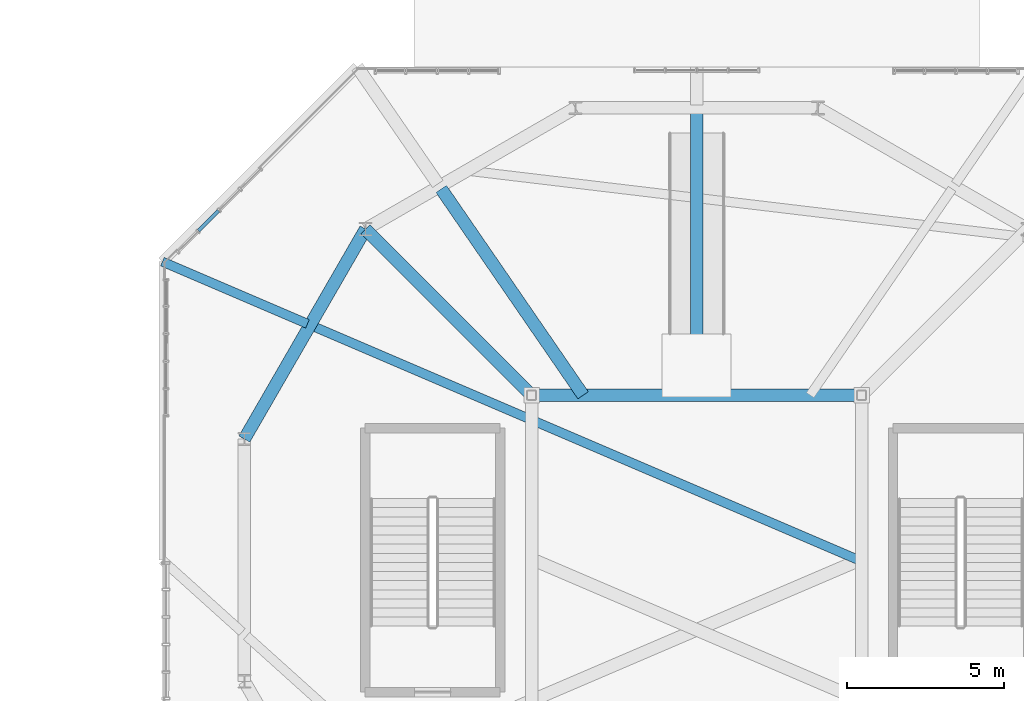
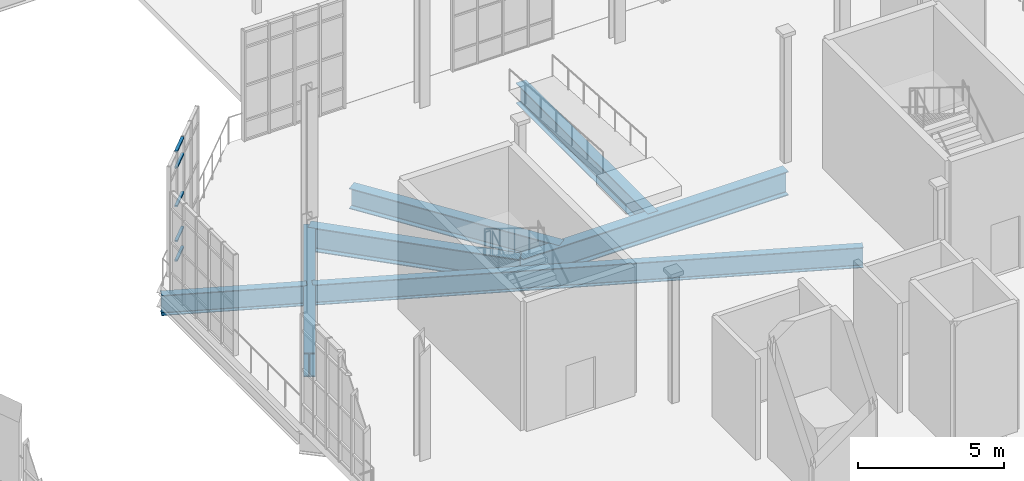
# One storey, part 59 of 189: 7 beams, 5 members, 1 element without a shape of its own.
"""IFC4 building model written with IfcOpenShell, lengths in metres."""

from ifc_helpers import new_model, si_unit, direction, frame, origin, origin_2d, place, context, subcontext, project, spatial, hollow_rectangle, i_section, extrude, material, layer, layer_set, material_profile, profile_set, type_object, element, aggregate, save


model = new_model("IFC4")

# Units and contexts
model_context = context("Model", 3, precision=1e-05, world=origin(), true_north=direction((0.0, 1.0)))
body_context = subcontext(model_context, "Body", "Model", "MODEL_VIEW")
ifc_project = project(units=[si_unit("LENGTHUNIT", "METRE"), si_unit("AREAUNIT", "SQUARE_METRE"), si_unit("VOLUMEUNIT", "CUBIC_METRE"), si_unit("PLANEANGLEUNIT", "RADIAN"), si_unit("MASSUNIT", "GRAM", prefix="KILO"), si_unit("THERMODYNAMICTEMPERATUREUNIT", "KELVIN"), si_unit("POWERUNIT", "WATT")], contexts=[model_context])

# Site, building, storey
site_placement = place(None, origin())
site = spatial("IfcSite", under=ifc_project, at=site_placement, CompositionType="ELEMENT")
building_placement = place(site_placement, origin())
building = spatial("IfcBuilding", under=site, at=building_placement, Name="Zelmaris Science Centre", CompositionType="ELEMENT")
storey_placement = place(building_placement, origin())
storey = spatial("IfcBuildingStorey", under=building, at=storey_placement, Name="L00", CompositionType="ELEMENT", Elevation=0.0)

# Curtain wall, members
ifc_material_1 = material(Name="Anodised architectural aluminium 6063-T6", Category="aluminium")
ifc_layer = layer(ifc_material_1, 0.219970703125, Name="Anodised architectural aluminium 6063-T6")
ifc_layer_set = layer_set([ifc_layer], Name="Anodised architectural aluminium 6063-T6")
curtain_wall_type = type_object("IfcCurtainWallType", Name="Curtain Wall CW-04", PredefinedType="USERDEFINED", material=ifc_layer_set)
curtain_wall_placement = place(storey_placement, origin())
curtain_wall = element("IfcCurtainWall", 1, at=curtain_wall_placement, inside=storey, type_object=curtain_wall_type, Name="L00 Unitised curtain wall 52", ObjectType="GLAZED CURTAIN WALL", PredefinedType="USERDEFINED")
ifc_material_profile_1 = material_profile(ifc_material_1, hollow_rectangle(XDim=0.06005859375, YDim=0.110107421875, WallThickness=0.0029296875, at=origin_2d()), Name="ALU-TRN-60X110")
ifc_profile_set_1 = profile_set([ifc_material_profile_1], Name="Anodised architectural aluminium 6063-T6")
member_type = type_object("IfcMemberType", Name="ALU-TRN-60X110", PredefinedType="USERDEFINED", material=ifc_profile_set_1)
member_1_placement = place(storey_placement, frame((65.154296875, 46.484130859375, 0.010986328125), z_axis=(0.707106781187, 0.707106781187, 0.0), x_axis=(0.0, 0.0, 1.0)))
member_1 = element("IfcMember", 2, at=member_1_placement, type_object=member_type, Name="CW-04 transom 2.1", ObjectType="TRANSOM", PredefinedType="USERDEFINED", context=body_context, shape_type="SweptSolid", body=[
    extrude(hollow_rectangle(XDim=0.06005859375, YDim=0.110107421875, WallThickness=0.0029296875, at=origin_2d()), origin(), (0.0, 0.0, 1.0), 0.894287109375),
])
member_2_placement = place(storey_placement, frame((65.154296875, 46.484130859375, 0.8349609375), z_axis=(0.707106781187, 0.707106781187, 0.0), x_axis=(0.0, 0.0, 1.0)))
member_2 = element("IfcMember", 3, at=member_2_placement, type_object=member_type, Name="CW-04 transom 2.2", ObjectType="TRANSOM", PredefinedType="USERDEFINED", context=body_context, shape_type="SweptSolid", body=[
    extrude(hollow_rectangle(XDim=0.06005859375, YDim=0.110107421875, WallThickness=0.0029296875, at=origin_2d()), origin(), (0.0, 0.0, 1.0), 0.894287109375),
])
member_3_placement = place(storey_placement, frame((65.154296875, 46.484130859375, 2.29248046875), z_axis=(0.707106781187, 0.707106781187, 0.0), x_axis=(0.0, 0.0, 1.0)))
member_3 = element("IfcMember", 4, at=member_3_placement, type_object=member_type, Name="CW-04 transom 2.3", ObjectType="TRANSOM", PredefinedType="USERDEFINED", context=body_context, shape_type="SweptSolid", body=[
    extrude(hollow_rectangle(XDim=0.06005859375, YDim=0.110107421875, WallThickness=0.0029296875, at=origin_2d()), origin(), (0.0, 0.0, 1.0), 0.894287109375),
])
member_4_placement = place(storey_placement, frame((65.154296875, 46.484130859375, 3.89990234375), z_axis=(0.707106781187, 0.707106781187, 0.0), x_axis=(0.0, 0.0, 1.0)))
member_4 = element("IfcMember", 5, at=member_4_placement, type_object=member_type, Name="CW-04 transom 2.4", ObjectType="TRANSOM", PredefinedType="USERDEFINED", context=body_context, shape_type="SweptSolid", body=[
    extrude(hollow_rectangle(XDim=0.06005859375, YDim=0.110107421875, WallThickness=0.0029296875, at=origin_2d()), origin(), (0.0, 0.0, 1.0), 0.894287109375),
])
member_5_placement = place(storey_placement, frame((65.154296875, 46.484130859375, 4.573974609375), z_axis=(0.707106781187, 0.707106781187, 0.0), x_axis=(0.0, 0.0, 1.0)))
member_5 = element("IfcMember", 6, at=member_5_placement, type_object=member_type, Name="CW-04 transom 2.5", ObjectType="TRANSOM", PredefinedType="USERDEFINED", context=body_context, shape_type="SweptSolid", body=[
    extrude(hollow_rectangle(XDim=0.06005859375, YDim=0.110107421875, WallThickness=0.0029296875, at=origin_2d()), origin(), (0.0, 0.0, 1.0), 0.894287109375),
])
aggregate(curtain_wall, [member_1, member_2, member_3, member_4, member_5])

# Beams
ifc_material_2 = material(Name="Steel ASTM A992 Grade 50", Category="steel")
ifc_material_profile_2 = material_profile(ifc_material_2, i_section(OverallWidth=0.40087890625, OverallDepth=0.85595703125, WebThickness=0.018310546875, FlangeThickness=0.029296875, FilletRadius=0.02001953125, at=origin_2d()), Name="W33X201")
ifc_profile_set_2 = profile_set([ifc_material_profile_2], Name="Steel ASTM A992 Grade 50")
beam_type_1 = type_object("IfcBeamType", Name="Beam G-05 W33X201", PredefinedType="BEAM", material=ifc_profile_set_2)
beam_1_placement = place(storey_placement, frame((81.0, 41.25, -0.76806640625), z_axis=(0.0, 1.0, 0.0), x_axis=(-1.0, 0.0, 0.0)))
element("IfcBeam", 7, at=beam_1_placement, inside=storey, type_object=beam_type_1, Name="L00 Overhang back-span girder 8", PredefinedType="BEAM", context=body_context, shape_type="SweptSolid", body=[
    extrude(i_section(OverallWidth=0.40087890625, OverallDepth=0.85595703125, WebThickness=0.018310546875, FlangeThickness=0.029296875, FilletRadius=0.02001953125, at=origin_2d()), origin(), (0.0, 0.0, 1.0), 9.04736328125),
])
ifc_material_profile_3 = material_profile(ifc_material_2, i_section(OverallWidth=0.294921875, OverallDepth=0.85107421875, WebThickness=0.01611328125, FlangeThickness=0.02685546875, FilletRadius=0.02001953125, at=origin_2d()), Name="W33X152")
ifc_profile_set_3 = profile_set([ifc_material_profile_3], Name="Steel ASTM A992 Grade 50")
beam_type_2 = type_object("IfcBeamType", Name="Beam G-06 W33X152", PredefinedType="BEAM", material=ifc_profile_set_3)
beam_2_placement = place(storey_placement, frame((86.25, 35.96484375, -0.765380859375), z_axis=(-0.919155001304, 0.393896031432, 0.0), x_axis=(-0.393896031432, -0.919155001304, 0.0)))
element("IfcBeam", 8, at=beam_2_placement, inside=storey, type_object=beam_type_2, Name="L00 Overhang back-span girder 10", PredefinedType="BEAM", context=body_context, shape_type="SweptSolid", body=[
    extrude(i_section(OverallWidth=0.294921875, OverallDepth=0.85107421875, WebThickness=0.01611328125, FlangeThickness=0.02685546875, FilletRadius=0.02001953125, at=origin_2d()), origin(), (0.0, 0.0, 1.0), 18.995849609375),
])
beam_3_placement = place(storey_placement, frame((68.615234375, 43.522216796875, -0.765380859375), z_axis=(-0.919157604305, 0.393889957283, 0.0), x_axis=(-0.393889957283, -0.919157604305, 0.0)))
element("IfcBeam", 9, at=beam_3_placement, inside=storey, type_object=beam_type_2, Name="L00 Radial overhang girder 10", PredefinedType="BEAM", context=body_context, shape_type="SweptSolid", body=[
    extrude(i_section(OverallWidth=0.294921875, OverallDepth=0.85107421875, WebThickness=0.01611328125, FlangeThickness=0.02685546875, FilletRadius=0.02001953125, at=origin_2d()), origin(), (0.0, 0.0, 1.0), 5.021240234375),
])
ifc_material_profile_4 = material_profile(ifc_material_2, i_section(OverallWidth=0.40087890625, OverallDepth=1.0009765625, WebThickness=0.01904296875, FlangeThickness=0.0361328125, FilletRadius=0.02490234375, at=origin_2d()), Name="W40X249")
ifc_profile_set_4 = profile_set([ifc_material_profile_4], Name="Steel ASTM A992 Grade 50")
beam_type_3 = type_object("IfcBeamType", Name="Beam G-22 W40X249", PredefinedType="BEAM", material=ifc_profile_set_4)
beam_4_placement = place(storey_placement, frame((70.464111328125, 46.535888671875, -0.840576171875), z_axis=(-0.500006504531, -0.866021648359, 0.0), x_axis=(0.866021648359, -0.500006504531, 0.0)))
element("IfcBeam", 10, at=beam_4_placement, inside=storey, type_object=beam_type_3, Name="L00 Exhibition inner ring girder 5", PredefinedType="BEAM", context=body_context, shape_type="SweptSolid", body=[
    extrude(i_section(OverallWidth=0.40087890625, OverallDepth=1.0009765625, WebThickness=0.01904296875, FlangeThickness=0.0361328125, FilletRadius=0.02490234375, at=origin_2d()), origin(), (0.0, 0.0, 1.0), 7.712890625),
])
beam_5_placement = place(storey_placement, frame((86.25, 41.25, -0.840576171875), z_axis=(-1.0, 0.0, 0.0), x_axis=(0.0, -1.0, 0.0)))
element("IfcBeam", 11, at=beam_5_placement, inside=storey, type_object=beam_type_3, Name="L00 Atrium framing girder 3", PredefinedType="BEAM", context=body_context, shape_type="SweptSolid", body=[
    extrude(i_section(OverallWidth=0.40087890625, OverallDepth=1.0009765625, WebThickness=0.01904296875, FlangeThickness=0.0361328125, FilletRadius=0.02490234375, at=origin_2d()), origin(), (0.0, 0.0, 1.0), 10.5),
])
beam_6_placement = place(storey_placement, frame((75.75, 41.25, -0.840576171875), z_axis=(-0.707106781187, 0.707106781187, 0.0), x_axis=(-0.707106781187, -0.707106781187, 0.0)))
element("IfcBeam", 12, at=beam_6_placement, inside=storey, type_object=beam_type_3, Name="L00 Atrium diagonal header girder 4", PredefinedType="BEAM", context=body_context, shape_type="SweptSolid", body=[
    extrude(i_section(OverallWidth=0.40087890625, OverallDepth=1.0009765625, WebThickness=0.01904296875, FlangeThickness=0.0361328125, FilletRadius=0.02490234375, at=origin_2d()), origin(), (0.0, 0.0, 1.0), 7.475341796875),
])
ifc_material_profile_5 = material_profile(ifc_material_2, i_section(OverallWidth=0.404052734375, OverallDepth=0.861083984375, WebThickness=0.019775390625, FlangeThickness=0.032470703125, FilletRadius=0.02001953125, at=origin_2d()), Name="W33X221")
ifc_profile_set_5 = profile_set([ifc_material_profile_5], Name="Steel ASTM A992 Grade 50")
beam_type_4 = type_object("IfcBeamType", Name="Beam G-28 W33X221", PredefinedType="BEAM", material=ifc_profile_set_5)
beam_7_placement = place(storey_placement, frame((77.388427734375, 41.25, -0.7705078125), z_axis=(-0.566757608404, 0.823884587376, 0.0), x_axis=(-0.823884587376, -0.566757608404, 0.0)))
element("IfcBeam", 13, at=beam_7_placement, inside=storey, type_object=beam_type_4, Name="L00 Overhang back-span girder 9", PredefinedType="BEAM", context=body_context, shape_type="SweptSolid", body=[
    extrude(i_section(OverallWidth=0.404052734375, OverallDepth=0.861083984375, WebThickness=0.019775390625, FlangeThickness=0.032470703125, FilletRadius=0.02001953125, at=origin_2d()), origin(), (0.0, 0.0, 1.0), 7.969970703125),
])

save(model, "model.ifc")
